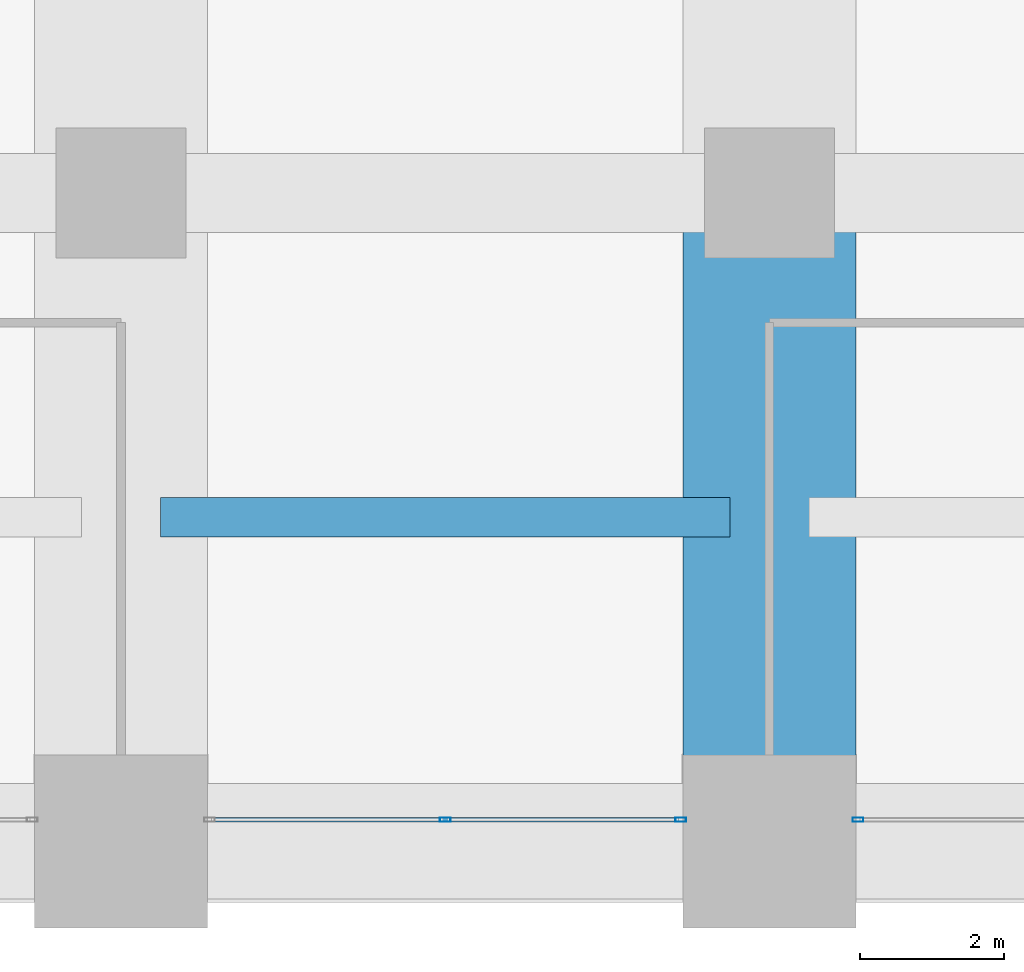
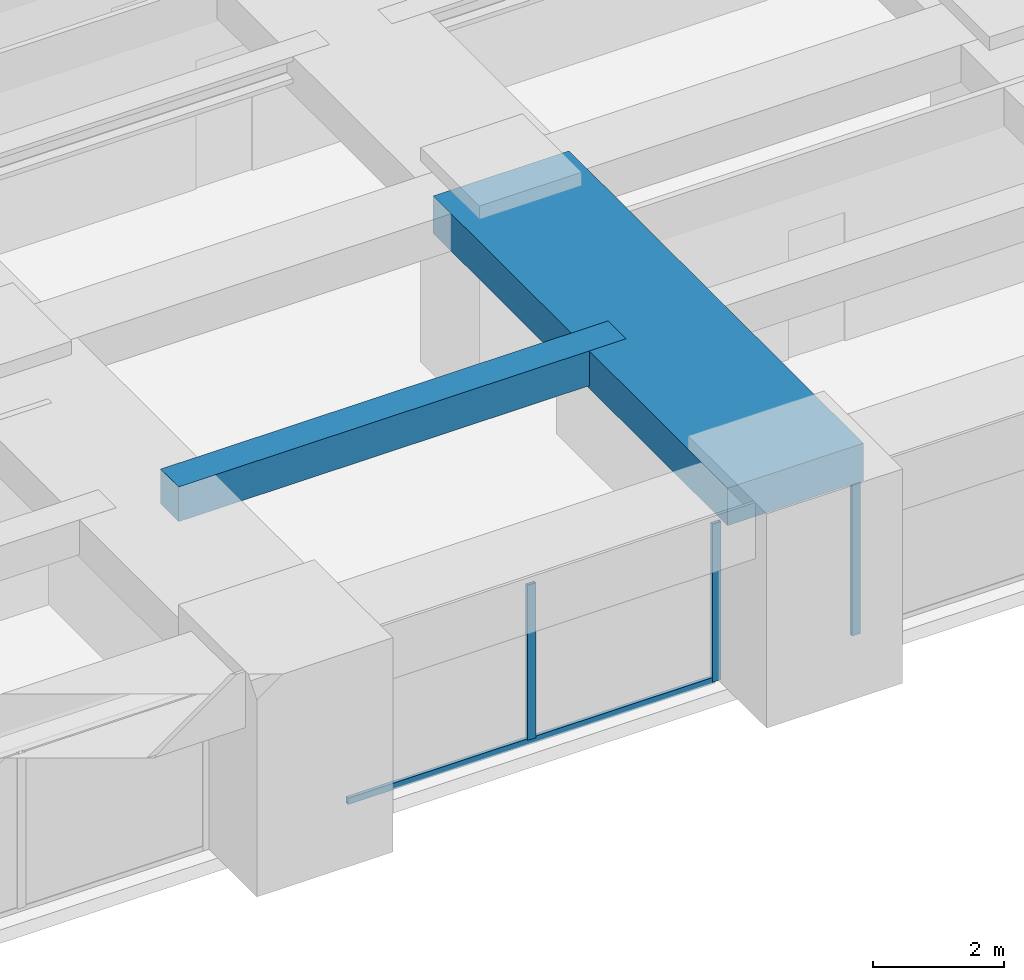
# One storey, part 13 of 43: 4 members, 2 beams, 2 elements without a shape of their own.
"""IFC4 building model written with IfcOpenShell, lengths in metres."""

from ifc_helpers import new_model, si_unit, direction, frame, origin, origin_2d, place, context, subcontext, project, spatial, rectangle, hollow_rectangle, extrude, material, material_profile, profile_set, type_object, element, aggregate, save


model = new_model("IFC4")

# Units and contexts
model_context = context("Model", 3, precision=1e-05, world=origin(), true_north=direction((0.0, 1.0)))
body_context = subcontext(model_context, "Body", "Model", "MODEL_VIEW")
ifc_project = project(units=[si_unit("LENGTHUNIT", "METRE"), si_unit("AREAUNIT", "SQUARE_METRE"), si_unit("VOLUMEUNIT", "CUBIC_METRE"), si_unit("PLANEANGLEUNIT", "RADIAN"), si_unit("MASSUNIT", "GRAM", prefix="KILO")], contexts=[model_context])

# Site, building, storey
site_placement = place(None, origin())
site = spatial("IfcSite", under=ifc_project, at=site_placement, CompositionType="ELEMENT")
building_placement = place(site_placement, origin())
building = spatial("IfcBuilding", under=site, at=building_placement, Name="Zorevar Civic Tower", CompositionType="ELEMENT")
storey_placement = place(building_placement, frame((0.0, 0.0, 145.0)))
storey = spatial("IfcBuildingStorey", under=building, at=storey_placement, Name="L35", CompositionType="ELEMENT", Elevation=145.0)

# Beams
ifc_material_1 = material(Name="Concrete C50/60", Category="concrete")
ifc_material_profile_1 = material_profile(ifc_material_1, rectangle(XDim=2.39990234375, YDim=0.699951171875, at=origin_2d()), Name="RC 2400x700")
ifc_profile_set_1 = profile_set([ifc_material_profile_1], Name="Concrete C50/60")
beam_type_1 = type_object("IfcBeamType", Name="Beam RC 2400x700", PredefinedType="BEAM", material=ifc_profile_set_1)
beam_1_placement = place(storey_placement, frame((36.0, 0.0, 3.39990234375), z_axis=(0.0, 1.0, 0.0), x_axis=(-1.0, 0.0, 0.0)))
element("IfcBeam", 1, at=beam_1_placement, inside=storey, type_object=beam_type_1, Name="Girder L36", PredefinedType="BEAM", context=body_context, shape_type="SweptSolid", body=[
    extrude(rectangle(XDim=2.39990234375, YDim=0.699951171875, at=origin_2d()), origin(), (0.0, 0.0, 1.0), 9.0),
])
ifc_material_2 = material(Name="Concrete C50/60", Category="concrete")
ifc_material_profile_2 = material_profile(ifc_material_2, rectangle(XDim=0.550048828125, YDim=0.64990234375, at=origin_2d()), Name="RC 550x650")
ifc_profile_set_2 = profile_set([ifc_material_profile_2], Name="Concrete C50/60")
beam_type_2 = type_object("IfcBeamType", Name="Beam RC 550x650", PredefinedType="BEAM", material=ifc_profile_set_2)
beam_2_placement = place(storey_placement, frame((27.550048828125, 4.5, 3.425048828125), z_axis=(1.0, 0.0, 0.0), x_axis=(0.0, 1.0, 0.0)))
element("IfcBeam", 2, at=beam_2_placement, inside=storey, type_object=beam_type_2, Name="Secondary beam L36", PredefinedType="BEAM", context=body_context, shape_type="SweptSolid", body=[
    extrude(rectangle(XDim=0.550048828125, YDim=0.64990234375, at=origin_2d()), origin(), (0.0, 0.0, 1.0), 7.89990234375),
])

# Curtain wall, members
ifc_material_3 = material(Name="Dark grey solar-control glass in black aluminium frame", Category="aluminium")
curtain_wall_type = type_object("IfcCurtainWallType", Name="Curtain wall CW3 mid zone", PredefinedType="NOTDEFINED", material=ifc_material_3)
curtain_wall_1_placement = place(storey_placement, origin())
curtain_wall_1 = element("IfcCurtainWall", 3, at=curtain_wall_1_placement, inside=storey, type_object=curtain_wall_type, Name="CW3 L35", PredefinedType="NOTDEFINED")
ifc_material_4 = material(Name="Aluminium, black anodised", Category="aluminium")
ifc_material_profile_3 = material_profile(ifc_material_4, hollow_rectangle(XDim=0.06005859375, YDim=0.14990234375, WallThickness=0.00390625, at=origin_2d()), Name="AL 150x60x4")
ifc_profile_set_3 = profile_set([ifc_material_profile_3], Name="Aluminium, black anodised")
member_type_1 = type_object("IfcMemberType", Name="CW3 mullion AL 150x60x4", PredefinedType="MULLION", material=ifc_profile_set_3)
member_1_placement = place(storey_placement, frame((31.5, 0.300048828125, 0.06005859375), z_axis=(0.0, 0.0, 1.0), x_axis=(0.0, 1.0, 0.0)))
member_1 = element("IfcMember", 4, at=member_1_placement, type_object=member_type_1, Name="CW3 mullion 2", PredefinedType="MULLION", context=body_context, shape_type="SweptSolid", body=[
    extrude(hollow_rectangle(XDim=0.06005859375, YDim=0.14990234375, WallThickness=0.00390625, at=origin_2d()), origin(), (0.0, 0.0, 1.0), 2.889892578125),
])
member_2_placement = place(storey_placement, frame((34.77001953125, 0.300048828125, 0.0), z_axis=(0.0, 0.0, 1.0), x_axis=(0.0, 1.0, 0.0)))
member_2 = element("IfcMember", 5, at=member_2_placement, type_object=member_type_1, Name="CW3 mullion 3", PredefinedType="MULLION", context=body_context, shape_type="SweptSolid", body=[
    extrude(hollow_rectangle(XDim=0.06005859375, YDim=0.14990234375, WallThickness=0.00390625, at=origin_2d()), origin(), (0.0, 0.0, 1.0), 2.949951171875),
])

# Curtain wall, member
curtain_wall_2_placement = place(storey_placement, origin())
curtain_wall_2 = element("IfcCurtainWall", 6, at=curtain_wall_2_placement, inside=storey, type_object=curtain_wall_type, Name="CW3 L35", PredefinedType="NOTDEFINED")
member_3_placement = place(storey_placement, frame((37.22998046875, 0.300048828125, 0.0), z_axis=(0.0, 0.0, 1.0), x_axis=(0.0, 1.0, 0.0)))
member_3 = element("IfcMember", 7, at=member_3_placement, type_object=member_type_1, Name="CW3 mullion 1", PredefinedType="MULLION", context=body_context, shape_type="SweptSolid", body=[
    extrude(hollow_rectangle(XDim=0.06005859375, YDim=0.14990234375, WallThickness=0.00390625, at=origin_2d()), origin(), (0.0, 0.0, 1.0), 2.949951171875),
])
aggregate(curtain_wall_2, [member_3])

# Member
ifc_material_5 = material(Name="Aluminium, black anodised", Category="aluminium")
ifc_material_profile_4 = material_profile(ifc_material_5, hollow_rectangle(XDim=0.06005859375, YDim=0.1201171875, WallThickness=0.0029296875, at=origin_2d()), Name="AL 120x60x3")
ifc_profile_set_4 = profile_set([ifc_material_profile_4], Name="Aluminium, black anodised")
member_type_2 = type_object("IfcMemberType", Name="CW3 transom AL 120x60x3", PredefinedType="USERDEFINED", material=ifc_profile_set_4)
member_4_placement = place(storey_placement, frame((28.260009765625, 0.300048828125, 0.030029296875), z_axis=(1.0, 0.0, 0.0), x_axis=(0.0, 1.0, 0.0)))
member_4 = element("IfcMember", 8, at=member_4_placement, type_object=member_type_2, Name="CW3 sill transom", ObjectType="TRANSOM", PredefinedType="USERDEFINED", context=body_context, shape_type="SweptSolid", body=[
    extrude(hollow_rectangle(XDim=0.06005859375, YDim=0.1201171875, WallThickness=0.0029296875, at=origin_2d()), origin(), (0.0, 0.0, 1.0), 6.47998046875),
])

aggregate(curtain_wall_1, [member_1, member_2, member_4])

save(model, "model.ifc")
